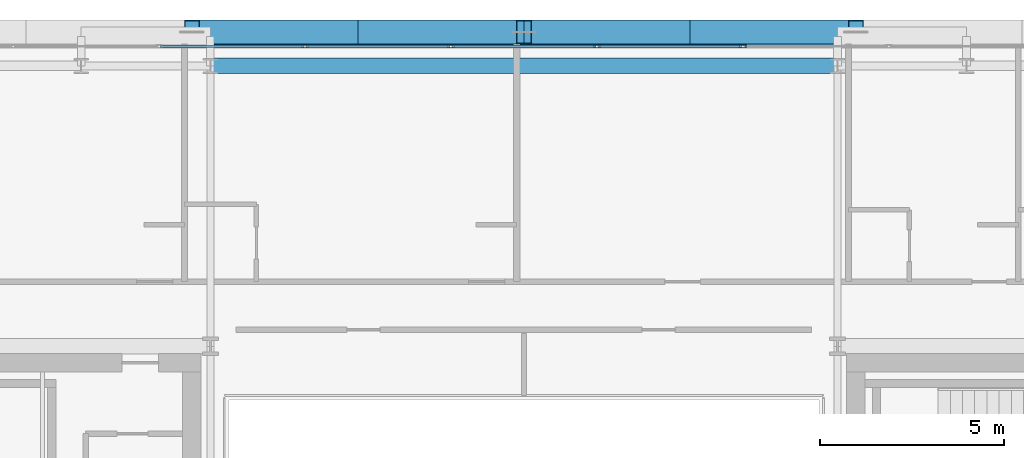
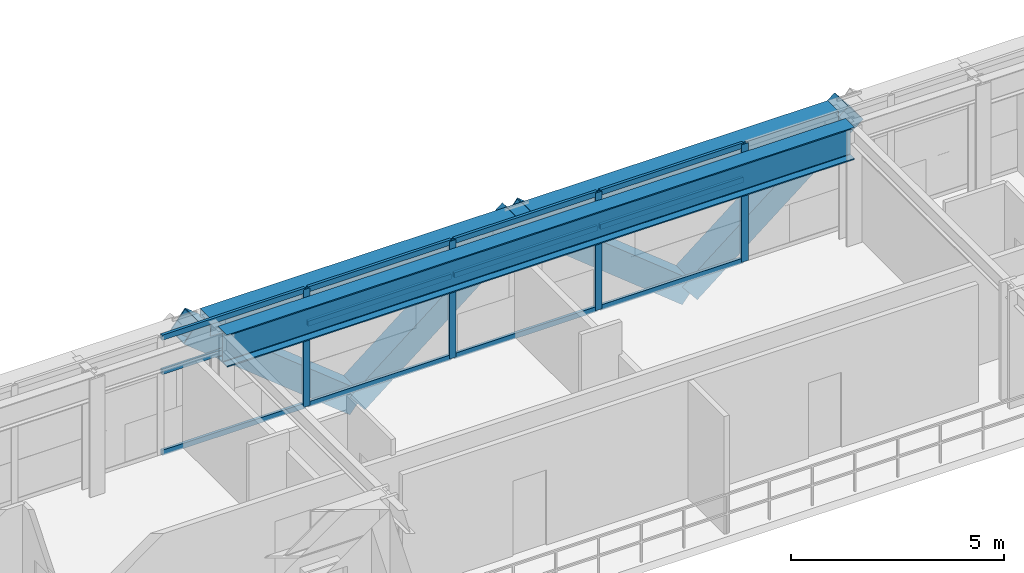
# One storey, part 17 of 32: 20 members, 2 beams, 1 element without a shape of its own.
"""IFC4 building model written with IfcOpenShell, lengths in metres."""

from ifc_helpers import new_model, si_unit, direction, frame, origin, origin_2d, place, context, subcontext, project, spatial, hollow_rectangle, i_section, extrude, source, transform, mapped, material, layer, layer_set, material_profile, profile_set, type_object, element, aggregate, save


model = new_model("IFC4")

# Units and contexts
model_context = context("Model", 3, precision=1e-05, world=origin(), true_north=direction((0.0, 1.0)))
body_context = subcontext(model_context, "Body", "Model", "MODEL_VIEW")
ifc_project = project(units=[si_unit("LENGTHUNIT", "METRE"), si_unit("AREAUNIT", "SQUARE_METRE"), si_unit("VOLUMEUNIT", "CUBIC_METRE"), si_unit("PLANEANGLEUNIT", "RADIAN"), si_unit("MASSUNIT", "GRAM", prefix="KILO")], contexts=[model_context])

# Site, building, storey
site_placement = place(None, origin())
site = spatial("IfcSite", under=ifc_project, at=site_placement, CompositionType="ELEMENT")
building_placement = place(site_placement, origin())
building = spatial("IfcBuilding", under=site, at=building_placement, Name="Ocotamira Hotel", CompositionType="ELEMENT")
storey_placement = place(building_placement, frame((0.0, 0.0, 177.60009765625)))
storey = spatial("IfcBuildingStorey", under=building, at=storey_placement, Name="L44", CompositionType="ELEMENT", Elevation=177.60009765625)

# Beams
ifc_material_1 = material(Name="Steel ASTM A992 Grade 50", Category="steel")
ifc_material_profile_1 = material_profile(ifc_material_1, i_section(OverallWidth=0.41796875, OverallDepth=0.927001953125, WebThickness=0.019287109375, FlangeThickness=0.031982421875, FilletRadius=0.02392578125, at=origin_2d()), Name="W36X231")
ifc_profile_set_1 = profile_set([ifc_material_profile_1], Name="Steel ASTM A992 Grade 50")
beam_type_1 = type_object("IfcBeamType", Name="BM-GIRD-W36X231", PredefinedType="BEAM", material=ifc_profile_set_1)
shared_shape_1 = source(origin(), body_context, "Body", "SweptSolid", [
    extrude(i_section(OverallWidth=0.41796875, OverallDepth=0.927001953125, WebThickness=0.019287109375, FlangeThickness=0.031982421875, FilletRadius=0.02392578125, at=origin_2d()), origin(), (0.0, 0.0, 1.0), 17.0),
])
beam_1_placement = place(storey_placement, frame((23.5, 45.050048828125, 2.906494140625), z_axis=(1.0, 0.0, 0.0), x_axis=(0.0, 1.0, 0.0)))
element("IfcBeam", 1, at=beam_1_placement, inside=storey, type_object=beam_type_1, Name="L44 Girder Y45.05 X23.5-40.5", PredefinedType="BEAM", context=body_context, shape_type="MappedRepresentation", body=[
    mapped(shared_shape_1, transform((0.0, 0.0, 0.0), scale=1.0)),
])
ifc_material_2 = material(Name="Steel ASTM A500 Grade C", Category="steel")
ifc_material_profile_2 = material_profile(ifc_material_2, hollow_rectangle(XDim=0.5, YDim=0.5, WallThickness=0.02001953125, at=origin_2d()), Name="HSS500X500X20")
ifc_profile_set_2 = profile_set([ifc_material_profile_2], Name="Steel ASTM A500 Grade C")
beam_type_2 = type_object("IfcBeamType", Name="BM-SPAN-HSS500", PredefinedType="USERDEFINED", material=ifc_profile_set_2)
shared_shape_2 = source(origin(), body_context, "Body", "SweptSolid", [
    extrude(hollow_rectangle(XDim=0.5, YDim=0.5, WallThickness=0.02001953125, at=origin_2d()), origin(), (0.0, 0.0, 1.0), 17.0),
])
beam_2_placement = place(storey_placement, frame((23.5, 45.85009765625, 3.119873046875), z_axis=(1.0, 0.0, 0.0), x_axis=(0.0, 1.0, 0.0)))
element("IfcBeam", 2, at=beam_2_placement, inside=storey, type_object=beam_type_2, Name="L44 Edge Spandrel N X23.5-40.5", ObjectType="SPANDREL", PredefinedType="USERDEFINED", context=body_context, shape_type="MappedRepresentation", body=[
    mapped(shared_shape_2, transform((0.0, 0.0, 0.0), scale=1.0)),
])

# Members
ifc_material_3 = material(Name="Pale-metal coated steel ASTM A913 Grade 65", Category="steel")
ifc_material_profile_3 = material_profile(ifc_material_3, hollow_rectangle(XDim=0.64990234375, YDim=0.64990234375, WallThickness=0.02197265625, at=origin_2d()), Name="BOX650X650X22")
ifc_profile_set_3 = profile_set([ifc_material_profile_3], Name="Pale-metal coated steel ASTM A913 Grade 65")
member_type_1 = type_object("IfcMemberType", Name="MEM-EXO-BOX650", PredefinedType="BRACE", material=ifc_profile_set_3)
shared_shape_3 = source(origin(), body_context, "Body", "SweptSolid", [
    extrude(hollow_rectangle(XDim=0.64990234375, YDim=0.64990234375, WallThickness=0.02197265625, at=origin_2d()), origin(), (0.0, 0.0, 1.0), 5.7626953125),
])
for number, where, z_axis, x_axis, name in (
    (3, (27.5, 45.969970703125, -0.47998046875), (-0.780881208953, 0.0, 0.624679547852), (0.0, -1.0, 0.0), "L44 Exoskeleton Diagrid N1.1"),
    (4, (27.5, 45.969970703125, -0.47998046875), (0.780881208953, 0.0, 0.624679547852), (0.0, 1.0, 0.0), "L44 Exoskeleton Diagrid N1.2"),
    (5, (36.5, 45.969970703125, -0.47998046875), (-0.780881208953, 0.0, 0.624679547852), (0.0, -1.0, 0.0), "L44 Exoskeleton Diagrid N2.1"),
    (6, (36.5, 45.969970703125, -0.47998046875), (0.780881208953, 0.0, 0.624679547852), (0.0, 1.0, 0.0), "L44 Exoskeleton Diagrid N2.2"),
):
    element("IfcMember", number, at=place(storey_placement, frame(where, z_axis=z_axis, x_axis=x_axis)), inside=storey, type_object=member_type_1, Name=name, PredefinedType="BRACE", context=body_context, shape_type="MappedRepresentation", body=[
        mapped(shared_shape_3, transform((0.0, 0.0, 0.0), scale=1.0)),
    ])

# Curtain wall, members
ifc_material_4 = material(Name="Anodised pale-metal aluminium and solar glass", Category="aluminium")
ifc_layer = layer(ifc_material_4, 0.199951171875)
ifc_layer_set = layer_set([ifc_layer], Name="Anodised pale-metal aluminium and solar glass")
curtain_wall_type = type_object("IfcCurtainWallType", Name="CW-SYS4-Z3", PredefinedType="NOTDEFINED", material=ifc_layer_set)
curtain_wall_placement = place(storey_placement, origin())
curtain_wall = element("IfcCurtainWall", 7, at=curtain_wall_placement, inside=storey, type_object=curtain_wall_type, Name="L44 Curtain Wall CW-4 CW-L44-N", PredefinedType="NOTDEFINED")
ifc_material_5 = material(Name="Anodised pale-metal aluminium 6063-T6", Category="aluminium")
ifc_material_profile_4 = material_profile(ifc_material_5, hollow_rectangle(XDim=0.074951171875, YDim=0.14990234375, WallThickness=0.006103515625, at=origin_2d()), Name="HSS150X75X6")
ifc_profile_set_4 = profile_set([ifc_material_profile_4], Name="Anodised pale-metal aluminium 6063-T6")
member_type_2 = type_object("IfcMemberType", Name="CWT-150X75", PredefinedType="USERDEFINED", material=ifc_profile_set_4)
shared_shape_4 = source(origin(), body_context, "Body", "SweptSolid", [
    extrude(hollow_rectangle(XDim=0.074951171875, YDim=0.14990234375, WallThickness=0.006103515625, at=origin_2d()), origin(), (0.0, 0.0, 1.0), 3.87548828125),
])
member_1_placement = place(storey_placement, frame((22.151123046875, 45.580078125, 0.037353515625), z_axis=(1.0, 0.0, 0.0), x_axis=(0.0, 1.0, 0.0)))
member_1 = element("IfcMember", 8, at=member_1_placement, type_object=member_type_2, Name="CW-4 transom 3.1", ObjectType="TRANSOM", PredefinedType="USERDEFINED", context=body_context, shape_type="MappedRepresentation", body=[
    mapped(shared_shape_4, transform((0.0, 0.0, 0.0), scale=1.0)),
])
member_2_placement = place(storey_placement, frame((22.151123046875, 45.580078125, 2.349853515625), z_axis=(1.0, 0.0, 0.0), x_axis=(0.0, 1.0, 0.0)))
member_2 = element("IfcMember", 9, at=member_2_placement, type_object=member_type_2, Name="CW-4 transom 3.2", ObjectType="TRANSOM", PredefinedType="USERDEFINED", context=body_context, shape_type="MappedRepresentation", body=[
    mapped(shared_shape_4, transform((0.0, 0.0, 0.0), scale=1.0)),
])
member_3_placement = place(storey_placement, frame((22.151123046875, 45.580078125, 3.33251953125), z_axis=(1.0, 0.0, 0.0), x_axis=(0.0, 1.0, 0.0)))
member_3 = element("IfcMember", 10, at=member_3_placement, type_object=member_type_2, Name="CW-4 transom 3.3", ObjectType="TRANSOM", PredefinedType="USERDEFINED", context=body_context, shape_type="MappedRepresentation", body=[
    mapped(shared_shape_4, transform((0.0, 0.0, 0.0), scale=1.0)),
])
member_4_placement = place(storey_placement, frame((26.106689453125, 45.580078125, 0.037353515625), z_axis=(1.0, 0.0, 0.0), x_axis=(0.0, 1.0, 0.0)))
member_4 = element("IfcMember", 11, at=member_4_placement, type_object=member_type_2, Name="CW-4 transom 4.1", ObjectType="TRANSOM", PredefinedType="USERDEFINED", context=body_context, shape_type="MappedRepresentation", body=[
    mapped(shared_shape_4, transform((0.0, 0.0, 0.0), scale=1.0)),
])
member_5_placement = place(storey_placement, frame((26.106689453125, 45.580078125, 2.349853515625), z_axis=(1.0, 0.0, 0.0), x_axis=(0.0, 1.0, 0.0)))
member_5 = element("IfcMember", 12, at=member_5_placement, type_object=member_type_2, Name="CW-4 transom 4.2", ObjectType="TRANSOM", PredefinedType="USERDEFINED", context=body_context, shape_type="MappedRepresentation", body=[
    mapped(shared_shape_4, transform((0.0, 0.0, 0.0), scale=1.0)),
])
member_6_placement = place(storey_placement, frame((26.106689453125, 45.580078125, 3.33251953125), z_axis=(1.0, 0.0, 0.0), x_axis=(0.0, 1.0, 0.0)))
member_6 = element("IfcMember", 13, at=member_6_placement, type_object=member_type_2, Name="CW-4 transom 4.3", ObjectType="TRANSOM", PredefinedType="USERDEFINED", context=body_context, shape_type="MappedRepresentation", body=[
    mapped(shared_shape_4, transform((0.0, 0.0, 0.0), scale=1.0)),
])
member_7_placement = place(storey_placement, frame((30.062255859375, 45.580078125, 0.037353515625), z_axis=(1.0, 0.0, 0.0), x_axis=(0.0, 1.0, 0.0)))
member_7 = element("IfcMember", 14, at=member_7_placement, type_object=member_type_2, Name="CW-4 transom 5.1", ObjectType="TRANSOM", PredefinedType="USERDEFINED", context=body_context, shape_type="MappedRepresentation", body=[
    mapped(shared_shape_4, transform((0.0, 0.0, 0.0), scale=1.0)),
])
member_8_placement = place(storey_placement, frame((30.062255859375, 45.580078125, 2.349853515625), z_axis=(1.0, 0.0, 0.0), x_axis=(0.0, 1.0, 0.0)))
member_8 = element("IfcMember", 15, at=member_8_placement, type_object=member_type_2, Name="CW-4 transom 5.2", ObjectType="TRANSOM", PredefinedType="USERDEFINED", context=body_context, shape_type="MappedRepresentation", body=[
    mapped(shared_shape_4, transform((0.0, 0.0, 0.0), scale=1.0)),
])
member_9_placement = place(storey_placement, frame((30.062255859375, 45.580078125, 3.33251953125), z_axis=(1.0, 0.0, 0.0), x_axis=(0.0, 1.0, 0.0)))
member_9 = element("IfcMember", 16, at=member_9_placement, type_object=member_type_2, Name="CW-4 transom 5.3", ObjectType="TRANSOM", PredefinedType="USERDEFINED", context=body_context, shape_type="MappedRepresentation", body=[
    mapped(shared_shape_4, transform((0.0, 0.0, 0.0), scale=1.0)),
])
member_10_placement = place(storey_placement, frame((34.017822265625, 45.580078125, 0.037353515625), z_axis=(1.0, 0.0, 0.0), x_axis=(0.0, 1.0, 0.0)))
member_10 = element("IfcMember", 17, at=member_10_placement, type_object=member_type_2, Name="CW-4 transom 6.1", ObjectType="TRANSOM", PredefinedType="USERDEFINED", context=body_context, shape_type="MappedRepresentation", body=[
    mapped(shared_shape_4, transform((0.0, 0.0, 0.0), scale=1.0)),
])
member_11_placement = place(storey_placement, frame((34.017822265625, 45.580078125, 2.349853515625), z_axis=(1.0, 0.0, 0.0), x_axis=(0.0, 1.0, 0.0)))
member_11 = element("IfcMember", 18, at=member_11_placement, type_object=member_type_2, Name="CW-4 transom 6.2", ObjectType="TRANSOM", PredefinedType="USERDEFINED", context=body_context, shape_type="MappedRepresentation", body=[
    mapped(shared_shape_4, transform((0.0, 0.0, 0.0), scale=1.0)),
])
member_12_placement = place(storey_placement, frame((34.017822265625, 45.580078125, 3.33251953125), z_axis=(1.0, 0.0, 0.0), x_axis=(0.0, 1.0, 0.0)))
member_12 = element("IfcMember", 19, at=member_12_placement, type_object=member_type_2, Name="CW-4 transom 6.3", ObjectType="TRANSOM", PredefinedType="USERDEFINED", context=body_context, shape_type="MappedRepresentation", body=[
    mapped(shared_shape_4, transform((0.0, 0.0, 0.0), scale=1.0)),
])
ifc_material_profile_5 = material_profile(ifc_material_5, hollow_rectangle(XDim=0.080078125, YDim=0.179931640625, WallThickness=0.006103515625, at=origin_2d()), Name="HSS180X80X6")
ifc_profile_set_5 = profile_set([ifc_material_profile_5], Name="Anodised pale-metal aluminium 6063-T6")
member_type_3 = type_object("IfcMemberType", Name="CWM-180X75", PredefinedType="MULLION", material=ifc_profile_set_5)
shared_shape_5 = source(origin(), body_context, "Body", "SweptSolid", [
    extrude(hollow_rectangle(XDim=0.080078125, YDim=0.179931640625, WallThickness=0.006103515625, at=origin_2d()), origin(), (0.0, 0.0, 1.0), 3.369873046875),
])
member_13_placement = place(storey_placement, frame((26.066650390625, 45.580078125, 0.0), z_axis=(0.0, 0.0, 1.0), x_axis=(0.0, 1.0, 0.0)))
member_13 = element("IfcMember", 20, at=member_13_placement, type_object=member_type_3, Name="CW-4 mullion 4", PredefinedType="MULLION", context=body_context, shape_type="MappedRepresentation", body=[
    mapped(shared_shape_5, transform((0.0, 0.0, 0.0), scale=1.0)),
])
member_14_placement = place(storey_placement, frame((30.022216796875, 45.580078125, 0.0), z_axis=(0.0, 0.0, 1.0), x_axis=(0.0, 1.0, 0.0)))
member_14 = element("IfcMember", 21, at=member_14_placement, type_object=member_type_3, Name="CW-4 mullion 5", PredefinedType="MULLION", context=body_context, shape_type="MappedRepresentation", body=[
    mapped(shared_shape_5, transform((0.0, 0.0, 0.0), scale=1.0)),
])
member_15_placement = place(storey_placement, frame((33.977783203125, 45.580078125, 0.0), z_axis=(0.0, 0.0, 1.0), x_axis=(0.0, 1.0, 0.0)))
member_15 = element("IfcMember", 22, at=member_15_placement, type_object=member_type_3, Name="CW-4 mullion 6", PredefinedType="MULLION", context=body_context, shape_type="MappedRepresentation", body=[
    mapped(shared_shape_5, transform((0.0, 0.0, 0.0), scale=1.0)),
])
member_16_placement = place(storey_placement, frame((37.933349609375, 45.580078125, 0.0), z_axis=(0.0, 0.0, 1.0), x_axis=(0.0, 1.0, 0.0)))
member_16 = element("IfcMember", 23, at=member_16_placement, type_object=member_type_3, Name="CW-4 mullion 7", PredefinedType="MULLION", context=body_context, shape_type="MappedRepresentation", body=[
    mapped(shared_shape_5, transform((0.0, 0.0, 0.0), scale=1.0)),
])
aggregate(curtain_wall, [member_13, member_14, member_15, member_16, member_1, member_2, member_3, member_4, member_5, member_6, member_7, member_8, member_9, member_10, member_11, member_12])

save(model, "model.ifc")
